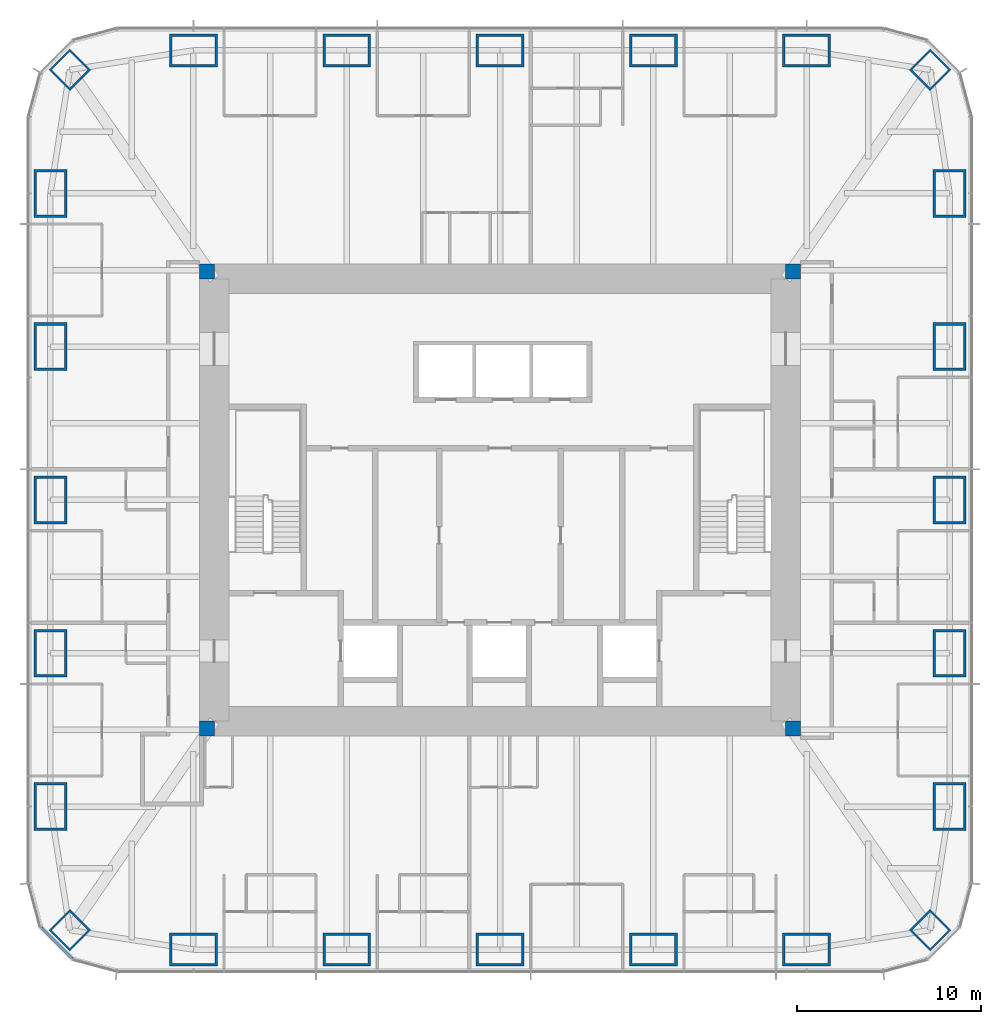
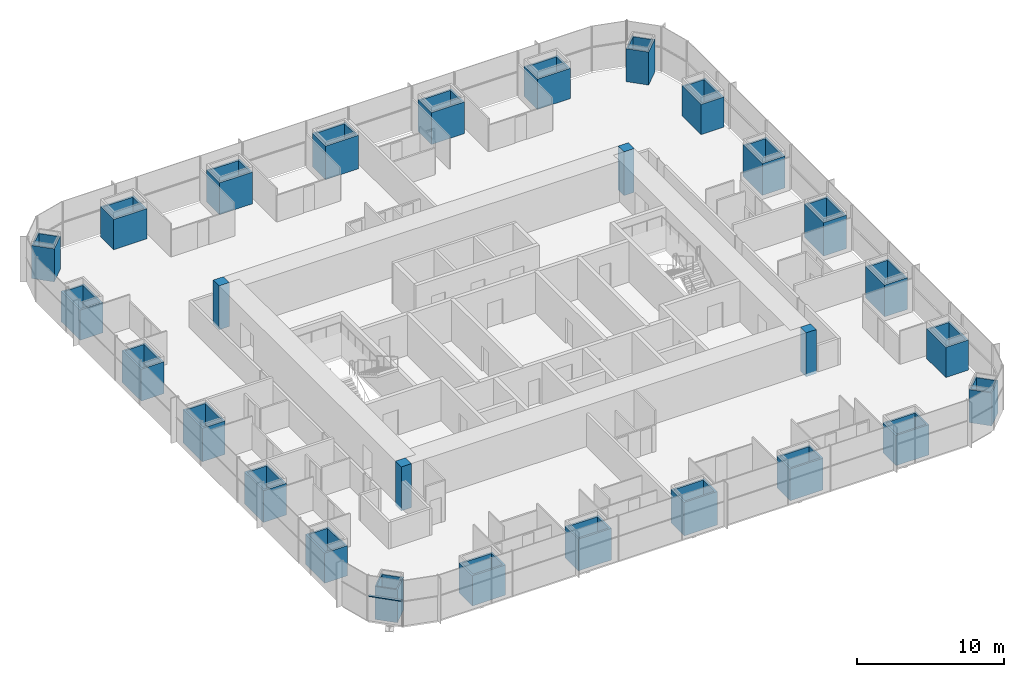
# One storey, part 1 of 13: 28 columns, 1 member, 1 element without a shape of its own.
"""IFC4 building model written with IfcOpenShell, lengths in metres."""

import ifcopenshell
import ifcopenshell.guid

model = None  # the IFC model being written
_history = None  # IfcOwnerHistory: only IFC2X3 demands one
_inside = {}  # id of a spatial element -> (the spatial element, [elements in it])
_under = {}  # id of a project, library or spatial element -> (it, [spatial elements below it])
_declared = {}  # id of a project -> (the project, [libraries it declares])
_typed = {}  # id of a type object -> (the type object, [elements of that type])
_made_of = {}  # id of a material, layer set ... -> (it, [elements and type objects made of it])


def new_model(schema):
    """Start an empty IFC model of exactly this schema.

    Asked for "IFC4X3", IfcOpenShell would pick the latest addendum, in which some entities
    have other attributes; the version numbers below select the first issue.
    IFC2X3 requires an IfcOwnerHistory on every rooted entity: one is made here for all.
    """
    global model, _history
    if schema == "IFC4X3":
        model = ifcopenshell.file(schema_version=(4, 3, 0, 0))
    else:
        model = ifcopenshell.file(schema=schema)
    _inside.clear()
    _under.clear()
    _declared.clear()
    _typed.clear()
    _made_of.clear()
    _history = None
    if model.schema == "IFC2X3":
        org = make("IfcOrganization", Name="unknown")
        user = make(
            "IfcPersonAndOrganization",
            ThePerson=make("IfcPerson", FamilyName="unknown"),
            TheOrganization=org,
        )
        app = make(
            "IfcApplication",
            ApplicationDeveloper=org,
            Version="unknown",
            ApplicationFullName="unknown",
            ApplicationIdentifier="unknown",
        )
        _history = make(
            "IfcOwnerHistory",
            OwningUser=user,
            OwningApplication=app,
            ChangeAction="ADDED",
            CreationDate=0,
        )
    return model


def make(cls, **values):
    """One entity of the class cls with the attributes given. An attribute that is None is left unset."""
    return model.create_entity(
        cls, **{name: value for name, value in values.items() if value is not None}
    )


def rooted(cls, **values):
    """An entity with a GlobalId (a new one), such as an element, a storey or a relation."""
    return make(cls, GlobalId=ifcopenshell.guid.new(), OwnerHistory=_history, **values)


def si_unit(unit_type, name, prefix=None):
    """IfcSIUnit, for example si_unit("LENGTHUNIT", "METRE", prefix="MILLI")."""
    return make("IfcSIUnit", UnitType=unit_type, Prefix=prefix, Name=name)


def assignment(units):
    """IfcUnitAssignment: the units of a project."""
    return None if units is None else make("IfcUnitAssignment", Units=units)


def point(xyz):
    """IfcCartesianPoint."""
    return None if xyz is None else make("IfcCartesianPoint", Coordinates=xyz)


def direction(xyz):
    """IfcDirection."""
    return None if xyz is None else make("IfcDirection", DirectionRatios=xyz)


def frame(location, z_axis=None, x_axis=None):
    """IfcAxis2Placement3D, a coordinate frame: its origin and axes. An axis left out is left unset."""
    return make(
        "IfcAxis2Placement3D",
        Location=point(location),
        Axis=direction(z_axis),
        RefDirection=direction(x_axis),
    )


def frame_2d(location, x_axis=None):
    """IfcAxis2Placement2D, a coordinate frame in the plane: its origin and x axis."""
    return make(
        "IfcAxis2Placement2D", Location=point(location), RefDirection=direction(x_axis)
    )


def origin():
    """The frame at (0, 0, 0) with its axes left unset."""
    return frame((0.0, 0.0, 0.0))


def origin_2d():
    """The frame at (0, 0) in the plane with its x axis left unset."""
    return frame_2d((0.0, 0.0))


def place(relative_to, where):
    """IfcLocalPlacement: puts the frame where relative to a parent placement (None: the world)."""
    return make(
        "IfcLocalPlacement", PlacementRelTo=relative_to, RelativePlacement=where
    )


def context(
    kind, dimensions, precision=None, world=None, true_north=None, identifier=None
):
    """IfcGeometricRepresentationContext, for example the 3D "Model" context."""
    return make(
        "IfcGeometricRepresentationContext",
        ContextIdentifier=identifier,
        ContextType=kind,
        CoordinateSpaceDimension=dimensions,
        Precision=precision,
        WorldCoordinateSystem=world,
        TrueNorth=true_north,
    )


def subcontext(parent, identifier, kind, view, scale=None):
    """IfcGeometricRepresentationSubContext, for example "Body" below "Model"."""
    return make(
        "IfcGeometricRepresentationSubContext",
        ContextIdentifier=identifier,
        ContextType=kind,
        ParentContext=parent,
        TargetScale=scale,
        TargetView=view,
    )


def project(units=None, contexts=None):
    """IfcProject with its units and contexts."""
    return rooted(
        "IfcProject",
        Name="project",
        RepresentationContexts=contexts,
        UnitsInContext=assignment(units),
    )


def spatial(cls, under=None, at=None, **own):
    """A site, building, storey or space (cls), placed at a placement, below another one or the project."""
    s = rooted(cls, ObjectPlacement=at, **own)
    if under is not None:
        _under.setdefault(under.id(), (under, []))[1].append(s)
    return s


def profile(cls, at=None, kind="AREA", **sizes):
    """A parametric profile (cls). Its sizes go by their IFC names, for example OverallWidth=200.0."""
    return make(cls, ProfileType=kind, Position=at, **sizes)


def rectangle(**sizes):
    """IfcRectangleProfileDef."""
    return profile("IfcRectangleProfileDef", **sizes)


def hollow_rectangle(**sizes):
    """IfcRectangleHollowProfileDef."""
    return profile("IfcRectangleHollowProfileDef", **sizes)


def extrude(swept, where, along, depth):
    """IfcExtrudedAreaSolid: the profile swept, set in the frame where, extruded along a direction by depth."""
    return make(
        "IfcExtrudedAreaSolid",
        SweptArea=swept,
        Position=where,
        ExtrudedDirection=direction(along),
        Depth=depth,
    )


def shape(context_of_items, identifier, shape_type, items):
    """IfcShapeRepresentation: the items that make up one representation, for example the "Body"."""
    return make(
        "IfcShapeRepresentation",
        ContextOfItems=context_of_items,
        RepresentationIdentifier=identifier,
        RepresentationType=shape_type,
        Items=items,
    )


def material(Name=None, Category=None):
    """IfcMaterial."""
    return make("IfcMaterial", Name=Name, Category=Category)


def material_profile(
    of_material, cross_section, Name=None, Category=None, Priority=None
):
    """IfcMaterialProfile: a cross section and its material."""
    return make(
        "IfcMaterialProfile",
        Name=Name,
        Material=of_material,
        Profile=cross_section,
        Priority=Priority,
        Category=Category,
    )


def profile_set(profiles, Name=None, composite=None):
    """IfcMaterialProfileSet."""
    return make(
        "IfcMaterialProfileSet",
        Name=Name,
        MaterialProfiles=profiles,
        CompositeProfile=composite,
    )


def made_of(thing, what):
    """Note that an element or type object is made of a material, layer set ...; save() writes the relation."""
    if what is not None:
        _made_of.setdefault(what.id(), (what, []))[1].append(thing)
    return thing


def type_object(cls, material=None, **own):
    """A type object (cls), such as IfcWallType, which elements share."""
    return made_of(rooted(cls, **own), material)


def element(
    cls,
    number,
    at=None,
    inside=None,
    cuts=None,
    type_object=None,
    material=None,
    context=None,
    identifier="Body",
    shape_type=None,
    held_by="IfcProductDefinitionShape",
    body=None,
    shapes=None,
    **own,
):
    """One element of the class cls, such as IfcWall. Its Tag is "e" and its number.

    at: its placement. inside: the storey or other place that contains it. cuts: it is an
    opening in that element (IfcRelVoidsElement). A single representation is given by context,
    identifier, shape_type and body (its items); several are given by shapes. held_by: the class
    of the entity that holds the representations. save() writes the other relations.
    """
    e = rooted(cls, Tag="e%d" % number, ObjectPlacement=at, **own)
    if body is not None:
        shapes = [shape(context, identifier, shape_type, body)]
    if shapes is not None:
        e.Representation = make(held_by, Representations=shapes)
    if inside is not None:
        _inside.setdefault(inside.id(), (inside, []))[1].append(e)
    if cuts is not None:
        rooted(
            "IfcRelVoidsElement", RelatingBuildingElement=cuts, RelatedOpeningElement=e
        )
    if type_object is not None:
        _typed.setdefault(type_object.id(), (type_object, []))[1].append(e)
    return made_of(e, material)


def aggregate(whole, parts):
    """IfcRelAggregates: a whole, such as a stair, and the parts it consists of."""
    return rooted("IfcRelAggregates", RelatingObject=whole, RelatedObjects=parts)


def save(model, path):
    """Write the relations noted so far, then the file.

    IfcRelAggregates (storeys below a building ...), IfcRelContainedInSpatialStructure (elements
    in a storey), IfcRelDefinesByType, IfcRelAssociatesMaterial and IfcRelDeclares: one each for
    every whole, place, type object, material and project.
    """
    for whole, parts in _under.values():
        aggregate(whole, parts)
    for where, things in _inside.values():
        rooted(
            "IfcRelContainedInSpatialStructure",
            RelatedElements=things,
            RelatingStructure=where,
        )
    for kind, things in _typed.values():
        rooted("IfcRelDefinesByType", RelatedObjects=things, RelatingType=kind)
    for what, things in _made_of.values():
        rooted("IfcRelAssociatesMaterial", RelatedObjects=things, RelatingMaterial=what)
    for by, libraries in _declared.values():
        rooted("IfcRelDeclares", RelatingContext=by, RelatedDefinitions=libraries)
    model.write(path)


model = new_model("IFC4")

# Units and contexts
model_context = context("Model", 3, precision=1e-05, world=origin(), true_north=direction((0.0, 1.0)))
body_context = subcontext(model_context, "Body", "Model", "MODEL_VIEW")
ifc_project = project(units=[si_unit("LENGTHUNIT", "METRE"), si_unit("AREAUNIT", "SQUARE_METRE"), si_unit("VOLUMEUNIT", "CUBIC_METRE"), si_unit("PLANEANGLEUNIT", "RADIAN"), si_unit("MASSUNIT", "GRAM", prefix="KILO")], contexts=[model_context])

# Site, building, storey
site_placement = place(None, origin())
site = spatial("IfcSite", under=ifc_project, at=site_placement, CompositionType="ELEMENT")
building_placement = place(site_placement, origin())
building = spatial("IfcBuilding", under=site, at=building_placement, Name="Khuree Lantern Residences", CompositionType="ELEMENT")
storey_placement = place(building_placement, frame((0.0, 0.0, 274.5)))
storey = spatial("IfcBuildingStorey", under=building, at=storey_placement, Name="L69", CompositionType="ELEMENT", Elevation=274.5)

# Columns
ifc_material_1 = material(Name="Steel S355 CFT welded box", Category="steel")
ifc_material_profile_1 = material_profile(ifc_material_1, hollow_rectangle(XDim=1.60009765625, YDim=1.60009765625, WallThickness=0.10009765625, at=origin_2d()), Name="WELDED BOX 1600X1600X100")
ifc_profile_set_1 = profile_set([ifc_material_profile_1], Name="Steel S355 CFT welded box")
column_type_1 = type_object("IfcColumnType", Name="CC1600 PERIMETER CORNER MEGA COLUMN WELDED BOX 1600X1600X100", PredefinedType="COLUMN", material=ifc_profile_set_1)
for number, where, z_axis, x_axis, name in (
    (1, (23.345703125, 23.345703125, 0.0), (0.0, 0.0, 1.0), (0.707106781187, -0.707106781187, 0.0), "Perimeter column NE"),
    (2, (23.345703125, -23.345703125, 0.0), (0.0, 0.0, 1.0), (0.707106781187, 0.707106781187, 0.0), "Perimeter column SE"),
    (3, (-23.345703125, -23.345703125, 0.0), (0.0, 0.0, 1.0), (0.707106781187, -0.707106781187, 0.0), "Perimeter column SW"),
    (4, (-23.345703125, 23.345703125, 0.0), (0.0, 0.0, 1.0), (0.707106781187, 0.707106781187, 0.0), "Perimeter column NW"),
):
    element("IfcColumn", number, at=place(storey_placement, frame(where, z_axis=z_axis, x_axis=x_axis)), inside=storey, type_object=column_type_1, Name=name, PredefinedType="COLUMN", context=body_context, shape_type="SweptSolid", body=[
        extrude(hollow_rectangle(XDim=1.60009765625, YDim=1.60009765625, WallThickness=0.10009765625, at=origin_2d()), origin(), (0.0, 0.0, 1.0), 2.739990234375),
    ])
ifc_material_2 = material(Name="Concrete C50/60", Category="concrete")
ifc_material_profile_2 = material_profile(ifc_material_2, rectangle(XDim=0.800048828125, YDim=0.800048828125, at=origin_2d()), Name="RC 800X800")
ifc_profile_set_2 = profile_set([ifc_material_profile_2], Name="Concrete C50/60")
column_type_2 = type_object("IfcColumnType", Name="CP800-C50 CORE CORNER PIER C50 RC 800X800", PredefinedType="COLUMN", material=ifc_profile_set_2)
for number, where, z_axis, x_axis, name in (
    (5, (15.89990234375, 12.39990234375, -0.25), (0.0, 0.0, 1.0), (1.0, 0.0, 0.0), "Core corner pier NE"),
    (6, (-15.89990234375, 12.39990234375, -0.25), (0.0, 0.0, 1.0), (1.0, 0.0, 0.0), "Core corner pier NW"),
    (7, (-15.89990234375, -12.39990234375, -0.25), (0.0, 0.0, 1.0), (1.0, 0.0, 0.0), "Core corner pier SW"),
    (8, (15.89990234375, -12.39990234375, -0.25), (0.0, 0.0, 1.0), (1.0, 0.0, 0.0), "Core corner pier SE"),
):
    element("IfcColumn", number, at=place(storey_placement, frame(where, z_axis=z_axis, x_axis=x_axis)), inside=storey, type_object=column_type_2, Name=name, PredefinedType="COLUMN", context=body_context, shape_type="SweptSolid", body=[
        extrude(rectangle(XDim=0.800048828125, YDim=0.800048828125, at=origin_2d()), origin(), (0.0, 0.0, 1.0), 3.64990234375),
    ])
ifc_material_profile_3 = material_profile(ifc_material_1, hollow_rectangle(XDim=2.60009765625, YDim=1.800048828125, WallThickness=0.139892578125, at=origin_2d()), Name="WELDED BOX 2600X1800X140")
ifc_profile_set_3 = profile_set([ifc_material_profile_3], Name="Steel S355 CFT welded box")
column_type_3 = type_object("IfcColumnType", Name="SC4 PERIMETER MEGA COLUMN WELDED BOX 2600X1800X140", PredefinedType="COLUMN", material=ifc_profile_set_3)
column_1_placement = place(storey_placement, frame((-16.639892578125, 24.39990234375, 0.0), z_axis=(0.0, 0.0, 1.0), x_axis=(1.0, 0.0, 0.0)))
element("IfcColumn", 9, at=column_1_placement, inside=storey, type_object=column_type_3, Name="Perimeter column N1", PredefinedType="COLUMN", context=body_context, shape_type="SweptSolid", body=[
    extrude(hollow_rectangle(XDim=2.60009765625, YDim=1.800048828125, WallThickness=0.139892578125, at=origin_2d()), origin(), (0.0, 0.0, 1.0), 2.510009765625),
])
column_2_placement = place(storey_placement, frame((-8.320068359375, 24.39990234375, 0.0), z_axis=(0.0, 0.0, 1.0), x_axis=(1.0, 0.0, 0.0)))
element("IfcColumn", 10, at=column_2_placement, inside=storey, type_object=column_type_3, Name="Perimeter column N2", PredefinedType="COLUMN", context=body_context, shape_type="SweptSolid", body=[
    extrude(hollow_rectangle(XDim=2.60009765625, YDim=1.800048828125, WallThickness=0.139892578125, at=origin_2d()), origin(), (0.0, 0.0, 1.0), 2.639892578125),
])
column_3_placement = place(storey_placement, frame((0.0, 24.39990234375, 0.0), z_axis=(0.0, 0.0, 1.0), x_axis=(1.0, 0.0, 0.0)))
element("IfcColumn", 11, at=column_3_placement, inside=storey, type_object=column_type_3, Name="Perimeter column N3", PredefinedType="COLUMN", context=body_context, shape_type="SweptSolid", body=[
    extrude(hollow_rectangle(XDim=2.60009765625, YDim=1.800048828125, WallThickness=0.139892578125, at=origin_2d()), origin(), (0.0, 0.0, 1.0), 2.780029296875),
])
column_4_placement = place(storey_placement, frame((8.320068359375, 24.39990234375, 0.0), z_axis=(0.0, 0.0, 1.0), x_axis=(1.0, 0.0, 0.0)))
element("IfcColumn", 12, at=column_4_placement, inside=storey, type_object=column_type_3, Name="Perimeter column N4", PredefinedType="COLUMN", context=body_context, shape_type="SweptSolid", body=[
    extrude(hollow_rectangle(XDim=2.60009765625, YDim=1.800048828125, WallThickness=0.139892578125, at=origin_2d()), origin(), (0.0, 0.0, 1.0), 2.639892578125),
])
for number, where, z_axis, x_axis, name in (
    (13, (16.639892578125, 24.39990234375, 0.0), (0.0, 0.0, 1.0), (1.0, 0.0, 0.0), "Perimeter column N5"),
    (14, (24.39990234375, 16.639892578125, 0.0), (0.0, 0.0, 1.0), (0.0, 1.0, 0.0), "Perimeter column E1"),
):
    element("IfcColumn", number, at=place(storey_placement, frame(where, z_axis=z_axis, x_axis=x_axis)), inside=storey, type_object=column_type_3, Name=name, PredefinedType="COLUMN", context=body_context, shape_type="SweptSolid", body=[
        extrude(hollow_rectangle(XDim=2.60009765625, YDim=1.800048828125, WallThickness=0.139892578125, at=origin_2d()), origin(), (0.0, 0.0, 1.0), 2.510009765625),
    ])
column_5_placement = place(storey_placement, frame((24.39990234375, 8.320068359375, 0.0), z_axis=(0.0, 0.0, 1.0), x_axis=(0.0, 1.0, 0.0)))
element("IfcColumn", 15, at=column_5_placement, inside=storey, type_object=column_type_3, Name="Perimeter column E2", PredefinedType="COLUMN", context=body_context, shape_type="SweptSolid", body=[
    extrude(hollow_rectangle(XDim=2.60009765625, YDim=1.800048828125, WallThickness=0.139892578125, at=origin_2d()), origin(), (0.0, 0.0, 1.0), 2.639892578125),
])
column_6_placement = place(storey_placement, frame((24.39990234375, 0.0, 0.0), z_axis=(0.0, 0.0, 1.0), x_axis=(0.0, 1.0, 0.0)))
element("IfcColumn", 16, at=column_6_placement, inside=storey, type_object=column_type_3, Name="Perimeter column E3", PredefinedType="COLUMN", context=body_context, shape_type="SweptSolid", body=[
    extrude(hollow_rectangle(XDim=2.60009765625, YDim=1.800048828125, WallThickness=0.139892578125, at=origin_2d()), origin(), (0.0, 0.0, 1.0), 2.780029296875),
])
column_7_placement = place(storey_placement, frame((24.39990234375, -8.320068359375, 0.0), z_axis=(0.0, 0.0, 1.0), x_axis=(0.0, 1.0, 0.0)))
element("IfcColumn", 17, at=column_7_placement, inside=storey, type_object=column_type_3, Name="Perimeter column E4", PredefinedType="COLUMN", context=body_context, shape_type="SweptSolid", body=[
    extrude(hollow_rectangle(XDim=2.60009765625, YDim=1.800048828125, WallThickness=0.139892578125, at=origin_2d()), origin(), (0.0, 0.0, 1.0), 2.639892578125),
])
for number, where, z_axis, x_axis, name in (
    (18, (24.39990234375, -16.639892578125, 0.0), (0.0, 0.0, 1.0), (0.0, 1.0, 0.0), "Perimeter column E5"),
    (19, (16.639892578125, -24.39990234375, 0.0), (0.0, 0.0, 1.0), (1.0, 0.0, 0.0), "Perimeter column S1"),
):
    element("IfcColumn", number, at=place(storey_placement, frame(where, z_axis=z_axis, x_axis=x_axis)), inside=storey, type_object=column_type_3, Name=name, PredefinedType="COLUMN", context=body_context, shape_type="SweptSolid", body=[
        extrude(hollow_rectangle(XDim=2.60009765625, YDim=1.800048828125, WallThickness=0.139892578125, at=origin_2d()), origin(), (0.0, 0.0, 1.0), 2.510009765625),
    ])
column_8_placement = place(storey_placement, frame((8.320068359375, -24.39990234375, 0.0), z_axis=(0.0, 0.0, 1.0), x_axis=(1.0, 0.0, 0.0)))
element("IfcColumn", 20, at=column_8_placement, inside=storey, type_object=column_type_3, Name="Perimeter column S2", PredefinedType="COLUMN", context=body_context, shape_type="SweptSolid", body=[
    extrude(hollow_rectangle(XDim=2.60009765625, YDim=1.800048828125, WallThickness=0.139892578125, at=origin_2d()), origin(), (0.0, 0.0, 1.0), 2.639892578125),
])
column_9_placement = place(storey_placement, frame((0.0, -24.39990234375, 0.0), z_axis=(0.0, 0.0, 1.0), x_axis=(1.0, 0.0, 0.0)))
element("IfcColumn", 21, at=column_9_placement, inside=storey, type_object=column_type_3, Name="Perimeter column S3", PredefinedType="COLUMN", context=body_context, shape_type="SweptSolid", body=[
    extrude(hollow_rectangle(XDim=2.60009765625, YDim=1.800048828125, WallThickness=0.139892578125, at=origin_2d()), origin(), (0.0, 0.0, 1.0), 2.780029296875),
])
column_10_placement = place(storey_placement, frame((-8.320068359375, -24.39990234375, 0.0), z_axis=(0.0, 0.0, 1.0), x_axis=(1.0, 0.0, 0.0)))
element("IfcColumn", 22, at=column_10_placement, inside=storey, type_object=column_type_3, Name="Perimeter column S4", PredefinedType="COLUMN", context=body_context, shape_type="SweptSolid", body=[
    extrude(hollow_rectangle(XDim=2.60009765625, YDim=1.800048828125, WallThickness=0.139892578125, at=origin_2d()), origin(), (0.0, 0.0, 1.0), 2.639892578125),
])
for number, where, z_axis, x_axis, name in (
    (23, (-16.639892578125, -24.39990234375, 0.0), (0.0, 0.0, 1.0), (1.0, 0.0, 0.0), "Perimeter column S5"),
    (24, (-24.39990234375, -16.639892578125, 0.0), (0.0, 0.0, 1.0), (0.0, 1.0, 0.0), "Perimeter column W1"),
):
    element("IfcColumn", number, at=place(storey_placement, frame(where, z_axis=z_axis, x_axis=x_axis)), inside=storey, type_object=column_type_3, Name=name, PredefinedType="COLUMN", context=body_context, shape_type="SweptSolid", body=[
        extrude(hollow_rectangle(XDim=2.60009765625, YDim=1.800048828125, WallThickness=0.139892578125, at=origin_2d()), origin(), (0.0, 0.0, 1.0), 2.510009765625),
    ])
column_11_placement = place(storey_placement, frame((-24.39990234375, -8.320068359375, 0.0), z_axis=(0.0, 0.0, 1.0), x_axis=(0.0, 1.0, 0.0)))
element("IfcColumn", 25, at=column_11_placement, inside=storey, type_object=column_type_3, Name="Perimeter column W2", PredefinedType="COLUMN", context=body_context, shape_type="SweptSolid", body=[
    extrude(hollow_rectangle(XDim=2.60009765625, YDim=1.800048828125, WallThickness=0.139892578125, at=origin_2d()), origin(), (0.0, 0.0, 1.0), 2.639892578125),
])
column_12_placement = place(storey_placement, frame((-24.39990234375, 0.0, 0.0), z_axis=(0.0, 0.0, 1.0), x_axis=(0.0, 1.0, 0.0)))
element("IfcColumn", 26, at=column_12_placement, inside=storey, type_object=column_type_3, Name="Perimeter column W3", PredefinedType="COLUMN", context=body_context, shape_type="SweptSolid", body=[
    extrude(hollow_rectangle(XDim=2.60009765625, YDim=1.800048828125, WallThickness=0.139892578125, at=origin_2d()), origin(), (0.0, 0.0, 1.0), 2.780029296875),
])
column_13_placement = place(storey_placement, frame((-24.39990234375, 8.320068359375, 0.0), z_axis=(0.0, 0.0, 1.0), x_axis=(0.0, 1.0, 0.0)))
element("IfcColumn", 27, at=column_13_placement, inside=storey, type_object=column_type_3, Name="Perimeter column W4", PredefinedType="COLUMN", context=body_context, shape_type="SweptSolid", body=[
    extrude(hollow_rectangle(XDim=2.60009765625, YDim=1.800048828125, WallThickness=0.139892578125, at=origin_2d()), origin(), (0.0, 0.0, 1.0), 2.639892578125),
])
column_14_placement = place(storey_placement, frame((-24.39990234375, 16.639892578125, 0.0), z_axis=(0.0, 0.0, 1.0), x_axis=(0.0, 1.0, 0.0)))
element("IfcColumn", 28, at=column_14_placement, inside=storey, type_object=column_type_3, Name="Perimeter column W5", PredefinedType="COLUMN", context=body_context, shape_type="SweptSolid", body=[
    extrude(hollow_rectangle(XDim=2.60009765625, YDim=1.800048828125, WallThickness=0.139892578125, at=origin_2d()), origin(), (0.0, 0.0, 1.0), 2.510009765625),
])

# Curtain wall, member
ifc_material_3 = material(Name="Bronze anodised aluminium", Category="aluminium")
curtain_wall_type = type_object("IfcCurtainWallType", Name="CW-T2 TOWER CORNER CURTAIN WALL", PredefinedType="USERDEFINED", material=ifc_material_3)
curtain_wall_placement = place(storey_placement, origin())
curtain_wall = element("IfcCurtainWall", 29, at=curtain_wall_placement, inside=storey, type_object=curtain_wall_type, Name="L69 SOUTH-WEST CORNER CURTAIN WALL", ObjectType="Faceted corner curtain wall", PredefinedType="USERDEFINED")
ifc_material_profile_4 = material_profile(ifc_material_3, rectangle(XDim=0.179931640625, YDim=0.06494140625, at=origin_2d()), Name="T1 180X65")
ifc_profile_set_4 = profile_set([ifc_material_profile_4], Name="Bronze anodised aluminium")
member_type = type_object("IfcMemberType", Name="TRANSOM T1 TOWER 180X65", PredefinedType="USERDEFINED", material=ifc_profile_set_4)
member_placement = place(storey_placement, frame((-24.88916015625, -23.225341796875, 2.050048828125), z_axis=(0.707106781187, -0.707106781187, 0.0), x_axis=(0.707106781187, 0.707106781187, 0.0)))
member = element("IfcMember", 30, at=member_placement, type_object=member_type, Name="L69 SOUTH-WEST CORNER TRANSOM 44.1", ObjectType="Transom", PredefinedType="USERDEFINED", context=body_context, shape_type="SweptSolid", body=[
    extrude(rectangle(XDim=0.179931640625, YDim=0.06494140625, at=origin_2d()), origin(), (0.0, 0.0, 1.0), 2.35302734375),
])
aggregate(curtain_wall, [member])

save(model, "model.ifc")
